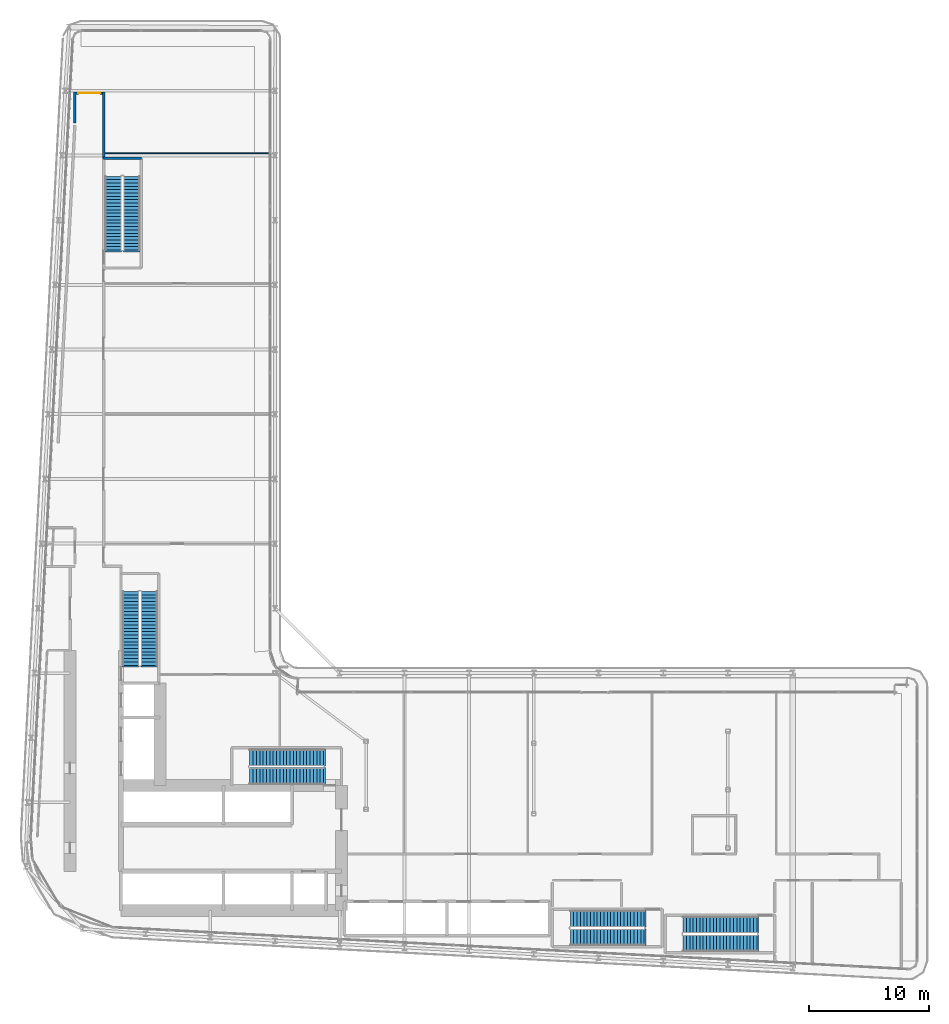
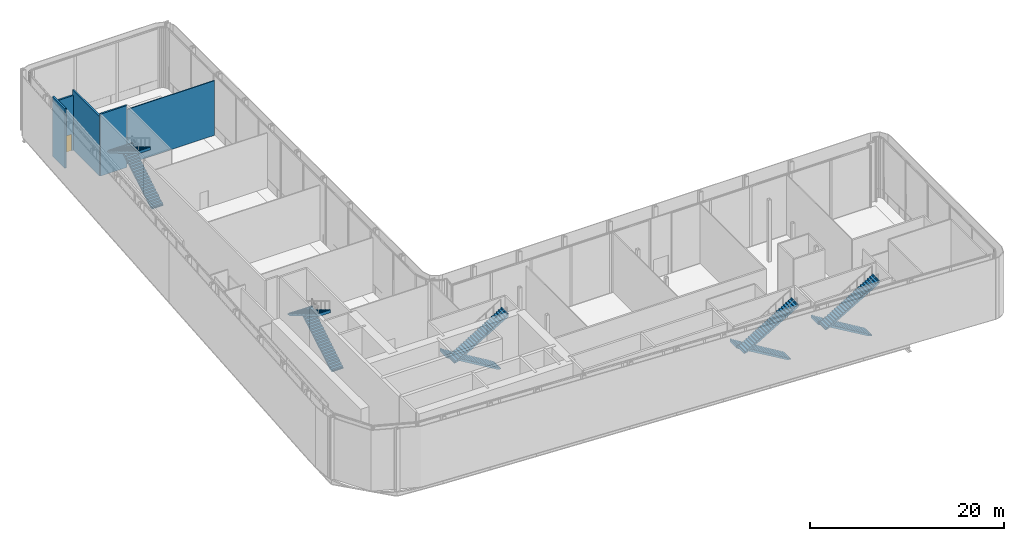
# One storey, part 29 of 36: 10 stair flights, 5 walls, 1 door, 1 opening, 5 elements without a shape of their own.
"""IFC4 building model written with IfcOpenShell, lengths in metres."""

from ifc_helpers import new_model, si_unit, direction, frame, frame_2d, origin, place, context, subcontext, project, spatial, polyline, rectangle, outline, extrude, source, transform, mapped, material, layer, layer_set, type_object, element, fill, aggregate, save


model = new_model("IFC4")

# Units and contexts
model_context = context("Model", 3, precision=1e-05, world=origin(), true_north=direction((0.0, 1.0)))
body_context = subcontext(model_context, "Body", "Model", "MODEL_VIEW")
ifc_project = project(units=[si_unit("LENGTHUNIT", "METRE"), si_unit("AREAUNIT", "SQUARE_METRE"), si_unit("VOLUMEUNIT", "CUBIC_METRE"), si_unit("PLANEANGLEUNIT", "RADIAN"), si_unit("MASSUNIT", "GRAM", prefix="KILO")], contexts=[model_context])

# Site, building, storey
site_placement = place(None, origin())
site = spatial("IfcSite", under=ifc_project, at=site_placement, CompositionType="ELEMENT")
building_placement = place(site_placement, origin())
building = spatial("IfcBuilding", under=site, at=building_placement, Name="Kheshtan School and Residences Tower", CompositionType="ELEMENT")
storey_placement = place(building_placement, frame((0.0, 0.0, 81.199951171875)))
storey = spatial("IfcBuildingStorey", under=building, at=storey_placement, Name="L19", CompositionType="ELEMENT", Elevation=81.199951171875)

# Wall
ifc_material_1 = material(Name="Gypsum board on steel studs with fire boards", Category="steel")
ifc_layer_1 = layer(ifc_material_1, 0.199951171875)
ifc_layer_set_1 = layer_set([ifc_layer_1], Name="Corridor wall 200")
wall_type_1 = type_object("IfcWallType", Name="Corridor wall 200", PredefinedType="PARTITIONING", material=ifc_layer_set_1)
wall_1_placement = place(storey_placement, frame((30.89990234375, 91.511962890625, 0.0), z_axis=(0.0, 0.0, 1.0), x_axis=(0.0, 1.0, 0.0)))
element("IfcWall", 1, at=wall_1_placement, inside=storey, type_object=wall_type_1, Name="Partition L19-014", PredefinedType="PARTITIONING", context=body_context, shape_type="SweptSolid", body=[
    extrude(rectangle(XDim=2.588134765625, YDim=0.199951171875, at=frame_2d((1.2939453125, 0.0))), origin(), (0.0, 0.0, 1.0), 7.5),
])

# Wall, opening, door
wall_2_placement = place(storey_placement, frame((31.0, 94.0, 0.0), z_axis=(0.0, 0.0, 1.0), x_axis=(1.0, 0.0, 0.0)))
wall_2 = element("IfcWall", 2, at=wall_2_placement, inside=storey, type_object=wall_type_1, Name="Partition L19-015", PredefinedType="PARTITIONING", context=body_context, shape_type="SweptSolid", body=[
    extrude(rectangle(XDim=2.199951171875, YDim=0.199951171875, at=frame_2d((1.10009765625, 0.0))), origin(), (0.0, 0.0, 1.0), 6.89697265625),
])
opening_placement = place(wall_2_placement, frame((0.197998046875, 0.0, 0.0)))
opening = element("IfcOpeningElement", 3, at=opening_placement, cuts=wall_2, Name="Opening D19-012", PredefinedType="OPENING", context=body_context, shape_type="SweptSolid", body=[
    extrude(rectangle(XDim=1.800048828125, YDim=2.10009765625, at=frame_2d((0.89990234375, 1.050048828125))), frame((0.0, 0.10986328125, 0.0), z_axis=(0.0, -1.0, 0.0), x_axis=(1.0, 0.0, 0.0)), (0.0, 0.0, 1.0), 0.219970703125),
])
ifc_material_2 = material(Name="Steel-framed fire-resisting door leaf", Category="steel")
door_type = type_object("IfcDoorType", Name="Fire double door FD60 1800 x 2100", OperationType="DOUBLE_DOOR_SINGLE_SWING", PredefinedType="DOOR", material=ifc_material_2)
shared_shape = source(origin(), body_context, "Body", "SweptSolid", [
    extrude(rectangle(XDim=1.800048828125, YDim=2.10009765625, at=frame_2d((0.89990234375, 1.050048828125))), frame((0.0, 0.02490234375, 0.0), z_axis=(0.0, -1.0, 0.0), x_axis=(1.0, 0.0, 0.0)), (0.0, 0.0, 1.0), 0.050048828125),
])
door_placement = place(opening_placement, origin())
door = element("IfcDoor", 4, at=door_placement, inside=storey, type_object=door_type, Name="Door D19-012", OperationType="DOUBLE_DOOR_SINGLE_SWING", OverallHeight=2.10009765625, OverallWidth=1.800048828125, PredefinedType="DOOR", context=body_context, shape_type="MappedRepresentation", body=[
    mapped(shared_shape, transform((0.0, 0.0, 0.0), x_axis=(1.0, 0.0, 0.0), y_axis=(0.0, 1.0, 0.0), z_axis=(0.0, 0.0, 1.0), scale=1.0)),
])
fill(opening, door)

# Walls
wall_3_placement = place(storey_placement, frame((33.300048828125, 88.56005859375, 0.0), z_axis=(0.0, 0.0, 1.0), x_axis=(0.0, 1.0, 0.0)))
element("IfcWall", 5, at=wall_3_placement, inside=storey, type_object=wall_type_1, Name="Partition L19-017", PredefinedType="PARTITIONING", context=body_context, shape_type="SweptSolid", body=[
    extrude(rectangle(XDim=5.5400390625, YDim=0.199951171875, at=frame_2d((2.77001953125, 0.0))), origin(), (0.0, 0.0, 1.0), 7.5),
])
ifc_material_3 = material(Name="Gypsum board on steel studs", Category="steel")
ifc_layer_2 = layer(ifc_material_3, 0.10009765625)
ifc_layer_set_2 = layer_set([ifc_layer_2], Name="Gypsum partition 100")
wall_type_2 = type_object("IfcWallType", Name="Gypsum partition 100", PredefinedType="PARTITIONING", material=ifc_layer_set_2)
wall_4_placement = place(storey_placement, frame((33.39990234375, 88.990966796875, 0.0), z_axis=(0.0, 0.0, 1.0), x_axis=(1.0, 0.0, 0.0)))
element("IfcWall", 6, at=wall_4_placement, inside=storey, type_object=wall_type_2, Name="Partition L19-022", PredefinedType="PARTITIONING", context=body_context, shape_type="SweptSolid", body=[
    extrude(rectangle(XDim=13.77001953125, YDim=0.10009765625, at=frame_2d((6.885009765625, 0.0))), origin(), (0.0, 0.0, 1.0), 6.89697265625),
])
ifc_material_4 = material(Name="Concrete C40/50", Category="concrete")
ifc_layer_3 = layer(ifc_material_4, 0.199951171875)
ifc_layer_set_3 = layer_set([ifc_layer_3], Name="Stair enclosure wall 200 Concrete C40/50")
wall_type_3 = type_object("IfcWallType", Name="Stair enclosure wall 200 Concrete C40/50", PredefinedType="SHEAR", material=ifc_layer_set_3)
wall_5_placement = place(storey_placement, frame((33.300048828125, 88.56005859375, 0.0), z_axis=(0.0, 0.0, 1.0), x_axis=(1.0, 0.0, 0.0)))
element("IfcWall", 7, at=wall_5_placement, inside=storey, type_object=wall_type_3, Name="Stair enclosure wall ST3", PredefinedType="SHEAR", context=body_context, shape_type="SweptSolid", body=[
    extrude(rectangle(XDim=3.14990234375, YDim=0.199951171875, at=frame_2d((1.574951171875, 0.0))), origin(), (0.0, 0.0, 1.0), 7.800048828125),
])

# Stair, stair flights
stair_type = type_object("IfcStairType", Name="Exit stair, half-turn", PredefinedType="HALF_TURN_STAIR", material=ifc_material_4)
stair_1_placement = place(storey_placement, origin())
stair_1 = element("IfcStair", 8, at=stair_1_placement, inside=storey, type_object=stair_type, Name="L19 Protected Exit Stair ST1", PredefinedType="HALF_TURN_STAIR")
ifc_layer_4 = layer(ifc_material_4, 0.14990234375)
ifc_layer_set_4 = layer_set([ifc_layer_4], Name="Stair flight 1400 Concrete C40/50")
stair_flight_type = type_object("IfcStairFlightType", Name="Stair flight 1400 Concrete C40/50", PredefinedType="STRAIGHT", material=ifc_layer_set_4)
stair_flight_1_placement = place(storey_placement, frame((51.64990234375, 38.550048828125, 0.0), z_axis=(0.0, 0.0, 1.0), x_axis=(-1.0, 0.0, 0.0)))
stair_flight_1 = element("IfcStairFlight", 9, at=stair_flight_1_placement, type_object=stair_flight_type, Name="ST1 flight 1", NumberOfRisers=23, NumberOfTreads=22, PredefinedType="STRAIGHT", RiserHeight=0.169565217, TreadLength=0.28, context=body_context, shape_type="SweptSolid", body=[
    extrude(outline(polyline([(-0.14990234375, -0.10009765625), (-0.14990234375, 0.0), (0.0, 0.0), (0.0, 0.169677734375), (0.280029296875, 0.169677734375), (0.280029296875, 0.339111328125), (0.56005859375, 0.339111328125), (0.56005859375, 0.5087890625), (0.840087890625, 0.5087890625), (0.840087890625, 0.67822265625), (1.1201171875, 0.67822265625), (1.1201171875, 0.847900390625), (1.39990234375, 0.847900390625), (1.39990234375, 1.017333984375), (1.679931640625, 1.017333984375), (1.679931640625, 1.18701171875), (1.9599609375, 1.18701171875), (1.9599609375, 1.3564453125), (2.239990234375, 1.3564453125), (2.239990234375, 1.526123046875), (2.52001953125, 1.526123046875), (2.52001953125, 1.695556640625), (2.800048828125, 1.695556640625), (2.800048828125, 1.865234375), (3.080078125, 1.865234375), (3.080078125, 2.03466796875), (3.360107421875, 2.03466796875), (3.360107421875, 2.204345703125), (3.639892578125, 2.204345703125), (3.639892578125, 2.3740234375), (3.919921875, 2.3740234375), (3.919921875, 2.54345703125), (4.199951171875, 2.54345703125), (4.199951171875, 2.713134765625), (4.47998046875, 2.713134765625), (4.47998046875, 2.882568359375), (4.760009765625, 2.882568359375), (4.760009765625, 3.05224609375), (5.0400390625, 3.05224609375), (5.0400390625, 3.2216796875), (5.320068359375, 3.2216796875), (5.320068359375, 3.391357421875), (5.60009765625, 3.391357421875), (5.60009765625, 3.560791015625), (5.8798828125, 3.560791015625), (5.8798828125, 3.73046875), (6.159912109375, 3.73046875), (6.159912109375, 3.89990234375), (6.159912109375, 3.919921875), (6.309814453125, 3.919921875), (6.309814453125, 3.55517578125), (0.289306640625, 0.0), (-0.14990234375, -0.10009765625)])), frame((0.0, 0.699951171875, 0.0), z_axis=(0.0, -1.0, 0.0), x_axis=(1.0, 0.0, 0.0)), (0.0, 0.0, 1.0), 1.39990234375),
])
stair_flight_2_placement = place(storey_placement, frame((45.489990234375, 37.0, 3.900146484375), z_axis=(0.0, 0.0, 1.0), x_axis=(1.0, 0.0, 0.0)))
stair_flight_2 = element("IfcStairFlight", 10, at=stair_flight_2_placement, type_object=stair_flight_type, Name="ST1 flight 2", NumberOfRisers=23, NumberOfTreads=22, PredefinedType="STRAIGHT", RiserHeight=0.169565217, TreadLength=0.28, context=body_context, shape_type="SweptSolid", body=[
    extrude(outline(polyline([(-0.14990234375, -0.10009765625), (-0.14990234375, 0.0), (0.0, 0.0), (0.0, 0.169677734375), (0.280029296875, 0.169677734375), (0.280029296875, 0.339111328125), (0.56005859375, 0.339111328125), (0.56005859375, 0.5087890625), (0.840087890625, 0.5087890625), (0.840087890625, 0.67822265625), (1.1201171875, 0.67822265625), (1.1201171875, 0.847900390625), (1.39990234375, 0.847900390625), (1.39990234375, 1.017333984375), (1.679931640625, 1.017333984375), (1.679931640625, 1.18701171875), (1.9599609375, 1.18701171875), (1.9599609375, 1.3564453125), (2.239990234375, 1.3564453125), (2.239990234375, 1.526123046875), (2.52001953125, 1.526123046875), (2.52001953125, 1.695556640625), (2.800048828125, 1.695556640625), (2.800048828125, 1.865234375), (3.080078125, 1.865234375), (3.080078125, 2.03466796875), (3.360107421875, 2.03466796875), (3.360107421875, 2.204345703125), (3.639892578125, 2.204345703125), (3.639892578125, 2.3740234375), (3.919921875, 2.3740234375), (3.919921875, 2.54345703125), (4.199951171875, 2.54345703125), (4.199951171875, 2.713134765625), (4.47998046875, 2.713134765625), (4.47998046875, 2.882568359375), (4.760009765625, 2.882568359375), (4.760009765625, 3.05224609375), (5.0400390625, 3.05224609375), (5.0400390625, 3.2216796875), (5.320068359375, 3.2216796875), (5.320068359375, 3.391357421875), (5.60009765625, 3.391357421875), (5.60009765625, 3.560791015625), (5.8798828125, 3.560791015625), (5.8798828125, 3.73046875), (6.159912109375, 3.73046875), (6.159912109375, 3.89990234375), (6.159912109375, 3.919921875), (6.309814453125, 3.919921875), (6.309814453125, 3.55517578125), (0.289306640625, 0.0), (-0.14990234375, -0.10009765625)])), frame((0.0, 0.699951171875, 0.0), z_axis=(0.0, -1.0, 0.0), x_axis=(1.0, 0.0, 0.0)), (0.0, 0.0, 1.0), 1.39990234375),
])
aggregate(stair_1, [stair_flight_1, stair_flight_2])

stair_2_placement = place(storey_placement, origin())
stair_2 = element("IfcStair", 11, at=stair_2_placement, inside=storey, type_object=stair_type, Name="L19 Protected Exit Stair ST2", PredefinedType="HALF_TURN_STAIR")
stair_flight_3_placement = place(storey_placement, frame((37.10009765625, 46.25, 0.0), z_axis=(0.0, 0.0, 1.0), x_axis=(0.0, 1.0, 0.0)))
stair_flight_3 = element("IfcStairFlight", 12, at=stair_flight_3_placement, type_object=stair_flight_type, Name="ST2 flight 1", NumberOfRisers=23, NumberOfTreads=22, PredefinedType="STRAIGHT", RiserHeight=0.169565217, TreadLength=0.28, context=body_context, shape_type="SweptSolid", body=[
    extrude(outline(polyline([(-0.14990234375, -0.10009765625), (-0.14990234375, 0.0), (0.0, 0.0), (0.0, 0.169677734375), (0.280029296875, 0.169677734375), (0.280029296875, 0.339111328125), (0.56005859375, 0.339111328125), (0.56005859375, 0.5087890625), (0.840087890625, 0.5087890625), (0.840087890625, 0.67822265625), (1.1201171875, 0.67822265625), (1.1201171875, 0.847900390625), (1.39990234375, 0.847900390625), (1.39990234375, 1.017333984375), (1.679931640625, 1.017333984375), (1.679931640625, 1.18701171875), (1.9599609375, 1.18701171875), (1.9599609375, 1.3564453125), (2.239990234375, 1.3564453125), (2.239990234375, 1.526123046875), (2.52001953125, 1.526123046875), (2.52001953125, 1.695556640625), (2.800048828125, 1.695556640625), (2.800048828125, 1.865234375), (3.080078125, 1.865234375), (3.080078125, 2.03466796875), (3.360107421875, 2.03466796875), (3.360107421875, 2.204345703125), (3.639892578125, 2.204345703125), (3.639892578125, 2.3740234375), (3.919921875, 2.3740234375), (3.919921875, 2.54345703125), (4.199951171875, 2.54345703125), (4.199951171875, 2.713134765625), (4.47998046875, 2.713134765625), (4.47998046875, 2.882568359375), (4.760009765625, 2.882568359375), (4.760009765625, 3.05224609375), (5.0400390625, 3.05224609375), (5.0400390625, 3.2216796875), (5.320068359375, 3.2216796875), (5.320068359375, 3.391357421875), (5.60009765625, 3.391357421875), (5.60009765625, 3.560791015625), (5.8798828125, 3.560791015625), (5.8798828125, 3.73046875), (6.159912109375, 3.73046875), (6.159912109375, 3.89990234375), (6.159912109375, 3.919921875), (6.309814453125, 3.919921875), (6.309814453125, 3.55517578125), (0.289306640625, 0.0), (-0.14990234375, -0.10009765625)])), frame((0.0, 0.699951171875, 0.0), z_axis=(0.0, -1.0, 0.0), x_axis=(1.0, 0.0, 0.0)), (0.0, 0.0, 1.0), 1.39990234375),
])
stair_flight_4_placement = place(storey_placement, frame((35.550048828125, 52.409912109375, 3.900146484375), z_axis=(0.0, 0.0, 1.0), x_axis=(0.0, -1.0, 0.0)))
stair_flight_4 = element("IfcStairFlight", 13, at=stair_flight_4_placement, type_object=stair_flight_type, Name="ST2 flight 2", NumberOfRisers=23, NumberOfTreads=22, PredefinedType="STRAIGHT", RiserHeight=0.169565217, TreadLength=0.28, context=body_context, shape_type="SweptSolid", body=[
    extrude(outline(polyline([(-0.14990234375, -0.10009765625), (-0.14990234375, 0.0), (0.0, 0.0), (0.0, 0.169677734375), (0.280029296875, 0.169677734375), (0.280029296875, 0.339111328125), (0.56005859375, 0.339111328125), (0.56005859375, 0.5087890625), (0.840087890625, 0.5087890625), (0.840087890625, 0.67822265625), (1.1201171875, 0.67822265625), (1.1201171875, 0.847900390625), (1.39990234375, 0.847900390625), (1.39990234375, 1.017333984375), (1.679931640625, 1.017333984375), (1.679931640625, 1.18701171875), (1.9599609375, 1.18701171875), (1.9599609375, 1.3564453125), (2.239990234375, 1.3564453125), (2.239990234375, 1.526123046875), (2.52001953125, 1.526123046875), (2.52001953125, 1.695556640625), (2.800048828125, 1.695556640625), (2.800048828125, 1.865234375), (3.080078125, 1.865234375), (3.080078125, 2.03466796875), (3.360107421875, 2.03466796875), (3.360107421875, 2.204345703125), (3.639892578125, 2.204345703125), (3.639892578125, 2.3740234375), (3.919921875, 2.3740234375), (3.919921875, 2.54345703125), (4.199951171875, 2.54345703125), (4.199951171875, 2.713134765625), (4.47998046875, 2.713134765625), (4.47998046875, 2.882568359375), (4.760009765625, 2.882568359375), (4.760009765625, 3.05224609375), (5.0400390625, 3.05224609375), (5.0400390625, 3.2216796875), (5.320068359375, 3.2216796875), (5.320068359375, 3.391357421875), (5.60009765625, 3.391357421875), (5.60009765625, 3.560791015625), (5.8798828125, 3.560791015625), (5.8798828125, 3.73046875), (6.159912109375, 3.73046875), (6.159912109375, 3.89990234375), (6.159912109375, 3.919921875), (6.309814453125, 3.919921875), (6.309814453125, 3.55517578125), (0.289306640625, 0.0), (-0.14990234375, -0.10009765625)])), frame((0.0, 0.699951171875, 0.0), z_axis=(0.0, -1.0, 0.0), x_axis=(1.0, 0.0, 0.0)), (0.0, 0.0, 1.0), 1.39990234375),
])
aggregate(stair_2, [stair_flight_3, stair_flight_4])

stair_3_placement = place(storey_placement, origin())
stair_3 = element("IfcStair", 14, at=stair_3_placement, inside=storey, type_object=stair_type, Name="L19 Protected Exit Stair ST3", PredefinedType="HALF_TURN_STAIR")
stair_flight_5_placement = place(storey_placement, frame((35.64990234375, 80.89990234375, 0.0), z_axis=(0.0, 0.0, 1.0), x_axis=(0.0, 1.0, 0.0)))
stair_flight_5 = element("IfcStairFlight", 15, at=stair_flight_5_placement, type_object=stair_flight_type, Name="ST3 flight 1", NumberOfRisers=23, NumberOfTreads=22, PredefinedType="STRAIGHT", RiserHeight=0.169565217, TreadLength=0.28, context=body_context, shape_type="SweptSolid", body=[
    extrude(outline(polyline([(-0.14990234375, -0.10009765625), (-0.14990234375, 0.0), (0.0, 0.0), (0.0, 0.169677734375), (0.280029296875, 0.169677734375), (0.280029296875, 0.339111328125), (0.56005859375, 0.339111328125), (0.56005859375, 0.5087890625), (0.840087890625, 0.5087890625), (0.840087890625, 0.67822265625), (1.1201171875, 0.67822265625), (1.1201171875, 0.847900390625), (1.39990234375, 0.847900390625), (1.39990234375, 1.017333984375), (1.679931640625, 1.017333984375), (1.679931640625, 1.18701171875), (1.9599609375, 1.18701171875), (1.9599609375, 1.3564453125), (2.239990234375, 1.3564453125), (2.239990234375, 1.526123046875), (2.52001953125, 1.526123046875), (2.52001953125, 1.695556640625), (2.800048828125, 1.695556640625), (2.800048828125, 1.865234375), (3.080078125, 1.865234375), (3.080078125, 2.03466796875), (3.360107421875, 2.03466796875), (3.360107421875, 2.204345703125), (3.639892578125, 2.204345703125), (3.639892578125, 2.3740234375), (3.919921875, 2.3740234375), (3.919921875, 2.54345703125), (4.199951171875, 2.54345703125), (4.199951171875, 2.713134765625), (4.47998046875, 2.713134765625), (4.47998046875, 2.882568359375), (4.760009765625, 2.882568359375), (4.760009765625, 3.05224609375), (5.0400390625, 3.05224609375), (5.0400390625, 3.2216796875), (5.320068359375, 3.2216796875), (5.320068359375, 3.391357421875), (5.60009765625, 3.391357421875), (5.60009765625, 3.560791015625), (5.8798828125, 3.560791015625), (5.8798828125, 3.73046875), (6.159912109375, 3.73046875), (6.159912109375, 3.89990234375), (6.159912109375, 3.919921875), (6.309814453125, 3.919921875), (6.309814453125, 3.55517578125), (0.289306640625, 0.0), (-0.14990234375, -0.10009765625)])), frame((0.0, 0.699951171875, 0.0), z_axis=(0.0, -1.0, 0.0), x_axis=(1.0, 0.0, 0.0)), (0.0, 0.0, 1.0), 1.39990234375),
])
stair_flight_6_placement = place(storey_placement, frame((34.10009765625, 87.06005859375, 3.900146484375), z_axis=(0.0, 0.0, 1.0), x_axis=(0.0, -1.0, 0.0)))
stair_flight_6 = element("IfcStairFlight", 16, at=stair_flight_6_placement, type_object=stair_flight_type, Name="ST3 flight 2", NumberOfRisers=23, NumberOfTreads=22, PredefinedType="STRAIGHT", RiserHeight=0.169565217, TreadLength=0.28, context=body_context, shape_type="SweptSolid", body=[
    extrude(outline(polyline([(-0.14990234375, -0.10009765625), (-0.14990234375, 0.0), (0.0, 0.0), (0.0, 0.169677734375), (0.280029296875, 0.169677734375), (0.280029296875, 0.339111328125), (0.56005859375, 0.339111328125), (0.56005859375, 0.5087890625), (0.840087890625, 0.5087890625), (0.840087890625, 0.67822265625), (1.1201171875, 0.67822265625), (1.1201171875, 0.847900390625), (1.39990234375, 0.847900390625), (1.39990234375, 1.017333984375), (1.679931640625, 1.017333984375), (1.679931640625, 1.18701171875), (1.9599609375, 1.18701171875), (1.9599609375, 1.3564453125), (2.239990234375, 1.3564453125), (2.239990234375, 1.526123046875), (2.52001953125, 1.526123046875), (2.52001953125, 1.695556640625), (2.800048828125, 1.695556640625), (2.800048828125, 1.865234375), (3.080078125, 1.865234375), (3.080078125, 2.03466796875), (3.360107421875, 2.03466796875), (3.360107421875, 2.204345703125), (3.639892578125, 2.204345703125), (3.639892578125, 2.3740234375), (3.919921875, 2.3740234375), (3.919921875, 2.54345703125), (4.199951171875, 2.54345703125), (4.199951171875, 2.713134765625), (4.47998046875, 2.713134765625), (4.47998046875, 2.882568359375), (4.760009765625, 2.882568359375), (4.760009765625, 3.05224609375), (5.0400390625, 3.05224609375), (5.0400390625, 3.2216796875), (5.320068359375, 3.2216796875), (5.320068359375, 3.391357421875), (5.60009765625, 3.391357421875), (5.60009765625, 3.560791015625), (5.8798828125, 3.560791015625), (5.8798828125, 3.73046875), (6.159912109375, 3.73046875), (6.159912109375, 3.89990234375), (6.159912109375, 3.919921875), (6.309814453125, 3.919921875), (6.309814453125, 3.55517578125), (0.289306640625, 0.0), (-0.14990234375, -0.10009765625)])), frame((0.0, 0.699951171875, 0.0), z_axis=(0.0, -1.0, 0.0), x_axis=(1.0, 0.0, 0.0)), (0.0, 0.0, 1.0), 1.39990234375),
])
aggregate(stair_3, [stair_flight_5, stair_flight_6])

stair_4_placement = place(storey_placement, origin())
stair_4 = element("IfcStair", 17, at=stair_4_placement, inside=storey, type_object=stair_type, Name="L19 Protected Exit Stair ST4", PredefinedType="HALF_TURN_STAIR")
stair_flight_7_placement = place(storey_placement, frame((87.820068359375, 24.60009765625, 0.0), z_axis=(0.0, 0.0, 1.0), x_axis=(-1.0, 0.0, 0.0)))
stair_flight_7 = element("IfcStairFlight", 18, at=stair_flight_7_placement, type_object=stair_flight_type, Name="ST4 flight 1", NumberOfRisers=23, NumberOfTreads=22, PredefinedType="STRAIGHT", RiserHeight=0.169565217, TreadLength=0.28, context=body_context, shape_type="SweptSolid", body=[
    extrude(outline(polyline([(-0.14990234375, -0.10009765625), (-0.14990234375, 0.0), (0.0, 0.0), (0.0, 0.169677734375), (0.280029296875, 0.169677734375), (0.280029296875, 0.339111328125), (0.56005859375, 0.339111328125), (0.56005859375, 0.5087890625), (0.840087890625, 0.5087890625), (0.840087890625, 0.67822265625), (1.1201171875, 0.67822265625), (1.1201171875, 0.847900390625), (1.39990234375, 0.847900390625), (1.39990234375, 1.017333984375), (1.679931640625, 1.017333984375), (1.679931640625, 1.18701171875), (1.9599609375, 1.18701171875), (1.9599609375, 1.3564453125), (2.239990234375, 1.3564453125), (2.239990234375, 1.526123046875), (2.52001953125, 1.526123046875), (2.52001953125, 1.695556640625), (2.800048828125, 1.695556640625), (2.800048828125, 1.865234375), (3.080078125, 1.865234375), (3.080078125, 2.03466796875), (3.360107421875, 2.03466796875), (3.360107421875, 2.204345703125), (3.639892578125, 2.204345703125), (3.639892578125, 2.3740234375), (3.919921875, 2.3740234375), (3.919921875, 2.54345703125), (4.199951171875, 2.54345703125), (4.199951171875, 2.713134765625), (4.47998046875, 2.713134765625), (4.47998046875, 2.882568359375), (4.760009765625, 2.882568359375), (4.760009765625, 3.05224609375), (5.0400390625, 3.05224609375), (5.0400390625, 3.2216796875), (5.320068359375, 3.2216796875), (5.320068359375, 3.391357421875), (5.60009765625, 3.391357421875), (5.60009765625, 3.560791015625), (5.8798828125, 3.560791015625), (5.8798828125, 3.73046875), (6.159912109375, 3.73046875), (6.159912109375, 3.89990234375), (6.159912109375, 3.919921875), (6.309814453125, 3.919921875), (6.309814453125, 3.55517578125), (0.289306640625, 0.0), (-0.14990234375, -0.10009765625)])), frame((0.0, 0.699951171875, 0.0), z_axis=(0.0, -1.0, 0.0), x_axis=(1.0, 0.0, 0.0)), (0.0, 0.0, 1.0), 1.39990234375),
])
stair_flight_8_placement = place(storey_placement, frame((81.659912109375, 23.050048828125, 3.900146484375), z_axis=(0.0, 0.0, 1.0), x_axis=(1.0, 0.0, 0.0)))
stair_flight_8 = element("IfcStairFlight", 19, at=stair_flight_8_placement, type_object=stair_flight_type, Name="ST4 flight 2", NumberOfRisers=23, NumberOfTreads=22, PredefinedType="STRAIGHT", RiserHeight=0.169565217, TreadLength=0.28, context=body_context, shape_type="SweptSolid", body=[
    extrude(outline(polyline([(-0.14990234375, -0.10009765625), (-0.14990234375, 0.0), (0.0, 0.0), (0.0, 0.169677734375), (0.280029296875, 0.169677734375), (0.280029296875, 0.339111328125), (0.56005859375, 0.339111328125), (0.56005859375, 0.5087890625), (0.840087890625, 0.5087890625), (0.840087890625, 0.67822265625), (1.1201171875, 0.67822265625), (1.1201171875, 0.847900390625), (1.39990234375, 0.847900390625), (1.39990234375, 1.017333984375), (1.679931640625, 1.017333984375), (1.679931640625, 1.18701171875), (1.9599609375, 1.18701171875), (1.9599609375, 1.3564453125), (2.239990234375, 1.3564453125), (2.239990234375, 1.526123046875), (2.52001953125, 1.526123046875), (2.52001953125, 1.695556640625), (2.800048828125, 1.695556640625), (2.800048828125, 1.865234375), (3.080078125, 1.865234375), (3.080078125, 2.03466796875), (3.360107421875, 2.03466796875), (3.360107421875, 2.204345703125), (3.639892578125, 2.204345703125), (3.639892578125, 2.3740234375), (3.919921875, 2.3740234375), (3.919921875, 2.54345703125), (4.199951171875, 2.54345703125), (4.199951171875, 2.713134765625), (4.47998046875, 2.713134765625), (4.47998046875, 2.882568359375), (4.760009765625, 2.882568359375), (4.760009765625, 3.05224609375), (5.0400390625, 3.05224609375), (5.0400390625, 3.2216796875), (5.320068359375, 3.2216796875), (5.320068359375, 3.391357421875), (5.60009765625, 3.391357421875), (5.60009765625, 3.560791015625), (5.8798828125, 3.560791015625), (5.8798828125, 3.73046875), (6.159912109375, 3.73046875), (6.159912109375, 3.89990234375), (6.159912109375, 3.919921875), (6.309814453125, 3.919921875), (6.309814453125, 3.55517578125), (0.289306640625, 0.0), (-0.14990234375, -0.10009765625)])), frame((0.0, 0.699951171875, 0.0), z_axis=(0.0, -1.0, 0.0), x_axis=(1.0, 0.0, 0.0)), (0.0, 0.0, 1.0), 1.39990234375),
])
aggregate(stair_4, [stair_flight_7, stair_flight_8])

stair_5_placement = place(storey_placement, origin())
stair_5 = element("IfcStair", 20, at=stair_5_placement, inside=storey, type_object=stair_type, Name="L19 Protected Exit Stair ST5", PredefinedType="HALF_TURN_STAIR")
stair_flight_9_placement = place(storey_placement, frame((78.409912109375, 25.10009765625, 0.0), z_axis=(0.0, 0.0, 1.0), x_axis=(-1.0, 0.0, 0.0)))
stair_flight_9 = element("IfcStairFlight", 21, at=stair_flight_9_placement, type_object=stair_flight_type, Name="ST5 flight 1", NumberOfRisers=23, NumberOfTreads=22, PredefinedType="STRAIGHT", RiserHeight=0.169565217, TreadLength=0.28, context=body_context, shape_type="SweptSolid", body=[
    extrude(outline(polyline([(-0.14990234375, -0.10009765625), (-0.14990234375, 0.0), (0.0, 0.0), (0.0, 0.169677734375), (0.280029296875, 0.169677734375), (0.280029296875, 0.339111328125), (0.56005859375, 0.339111328125), (0.56005859375, 0.5087890625), (0.840087890625, 0.5087890625), (0.840087890625, 0.67822265625), (1.1201171875, 0.67822265625), (1.1201171875, 0.847900390625), (1.39990234375, 0.847900390625), (1.39990234375, 1.017333984375), (1.679931640625, 1.017333984375), (1.679931640625, 1.18701171875), (1.9599609375, 1.18701171875), (1.9599609375, 1.3564453125), (2.239990234375, 1.3564453125), (2.239990234375, 1.526123046875), (2.52001953125, 1.526123046875), (2.52001953125, 1.695556640625), (2.800048828125, 1.695556640625), (2.800048828125, 1.865234375), (3.080078125, 1.865234375), (3.080078125, 2.03466796875), (3.360107421875, 2.03466796875), (3.360107421875, 2.204345703125), (3.639892578125, 2.204345703125), (3.639892578125, 2.3740234375), (3.919921875, 2.3740234375), (3.919921875, 2.54345703125), (4.199951171875, 2.54345703125), (4.199951171875, 2.713134765625), (4.47998046875, 2.713134765625), (4.47998046875, 2.882568359375), (4.760009765625, 2.882568359375), (4.760009765625, 3.05224609375), (5.0400390625, 3.05224609375), (5.0400390625, 3.2216796875), (5.320068359375, 3.2216796875), (5.320068359375, 3.391357421875), (5.60009765625, 3.391357421875), (5.60009765625, 3.560791015625), (5.8798828125, 3.560791015625), (5.8798828125, 3.73046875), (6.159912109375, 3.73046875), (6.159912109375, 3.89990234375), (6.159912109375, 3.919921875), (6.309814453125, 3.919921875), (6.309814453125, 3.55517578125), (0.289306640625, 0.0), (-0.14990234375, -0.10009765625)])), frame((0.0, 0.699951171875, 0.0), z_axis=(0.0, -1.0, 0.0), x_axis=(1.0, 0.0, 0.0)), (0.0, 0.0, 1.0), 1.39990234375),
])
stair_flight_10_placement = place(storey_placement, frame((72.25, 23.550048828125, 3.900146484375), z_axis=(0.0, 0.0, 1.0), x_axis=(1.0, 0.0, 0.0)))
stair_flight_10 = element("IfcStairFlight", 22, at=stair_flight_10_placement, type_object=stair_flight_type, Name="ST5 flight 2", NumberOfRisers=23, NumberOfTreads=22, PredefinedType="STRAIGHT", RiserHeight=0.169565217, TreadLength=0.28, context=body_context, shape_type="SweptSolid", body=[
    extrude(outline(polyline([(-0.14990234375, -0.10009765625), (-0.14990234375, 0.0), (0.0, 0.0), (0.0, 0.169677734375), (0.280029296875, 0.169677734375), (0.280029296875, 0.339111328125), (0.56005859375, 0.339111328125), (0.56005859375, 0.5087890625), (0.840087890625, 0.5087890625), (0.840087890625, 0.67822265625), (1.1201171875, 0.67822265625), (1.1201171875, 0.847900390625), (1.39990234375, 0.847900390625), (1.39990234375, 1.017333984375), (1.679931640625, 1.017333984375), (1.679931640625, 1.18701171875), (1.9599609375, 1.18701171875), (1.9599609375, 1.3564453125), (2.239990234375, 1.3564453125), (2.239990234375, 1.526123046875), (2.52001953125, 1.526123046875), (2.52001953125, 1.695556640625), (2.800048828125, 1.695556640625), (2.800048828125, 1.865234375), (3.080078125, 1.865234375), (3.080078125, 2.03466796875), (3.360107421875, 2.03466796875), (3.360107421875, 2.204345703125), (3.639892578125, 2.204345703125), (3.639892578125, 2.3740234375), (3.919921875, 2.3740234375), (3.919921875, 2.54345703125), (4.199951171875, 2.54345703125), (4.199951171875, 2.713134765625), (4.47998046875, 2.713134765625), (4.47998046875, 2.882568359375), (4.760009765625, 2.882568359375), (4.760009765625, 3.05224609375), (5.0400390625, 3.05224609375), (5.0400390625, 3.2216796875), (5.320068359375, 3.2216796875), (5.320068359375, 3.391357421875), (5.60009765625, 3.391357421875), (5.60009765625, 3.560791015625), (5.8798828125, 3.560791015625), (5.8798828125, 3.73046875), (6.159912109375, 3.73046875), (6.159912109375, 3.89990234375), (6.159912109375, 3.919921875), (6.309814453125, 3.919921875), (6.309814453125, 3.55517578125), (0.289306640625, 0.0), (-0.14990234375, -0.10009765625)])), frame((0.0, 0.699951171875, 0.0), z_axis=(0.0, -1.0, 0.0), x_axis=(1.0, 0.0, 0.0)), (0.0, 0.0, 1.0), 1.39990234375),
])
aggregate(stair_5, [stair_flight_9, stair_flight_10])

save(model, "model.ifc")
